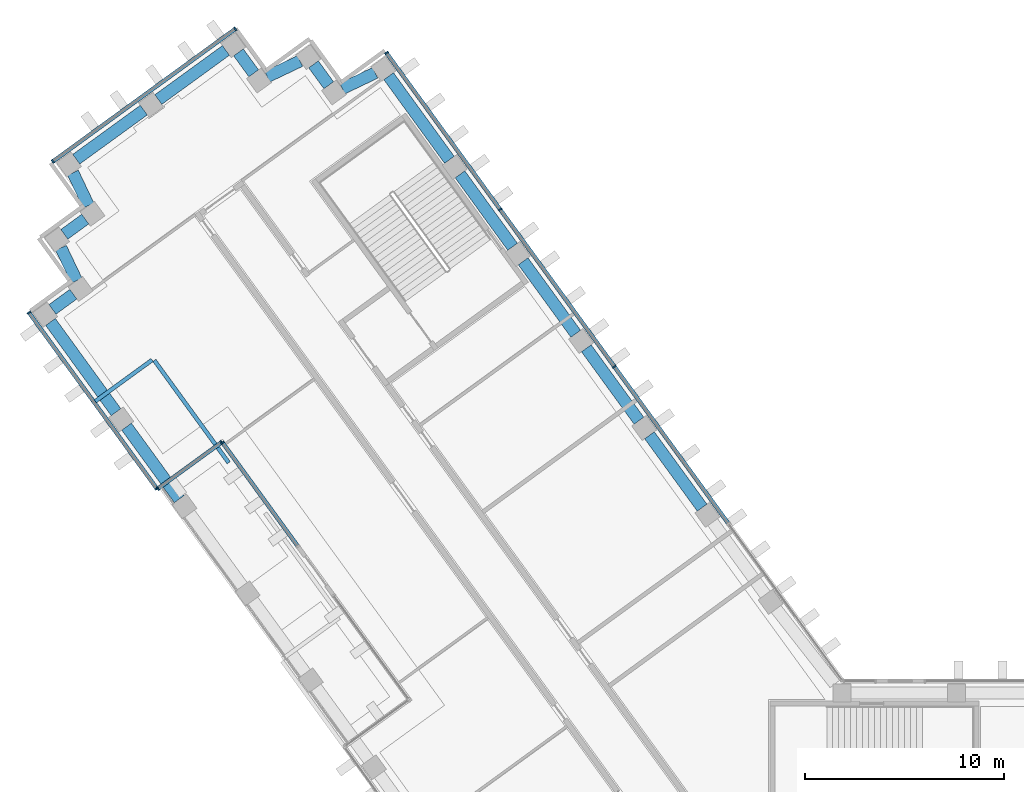
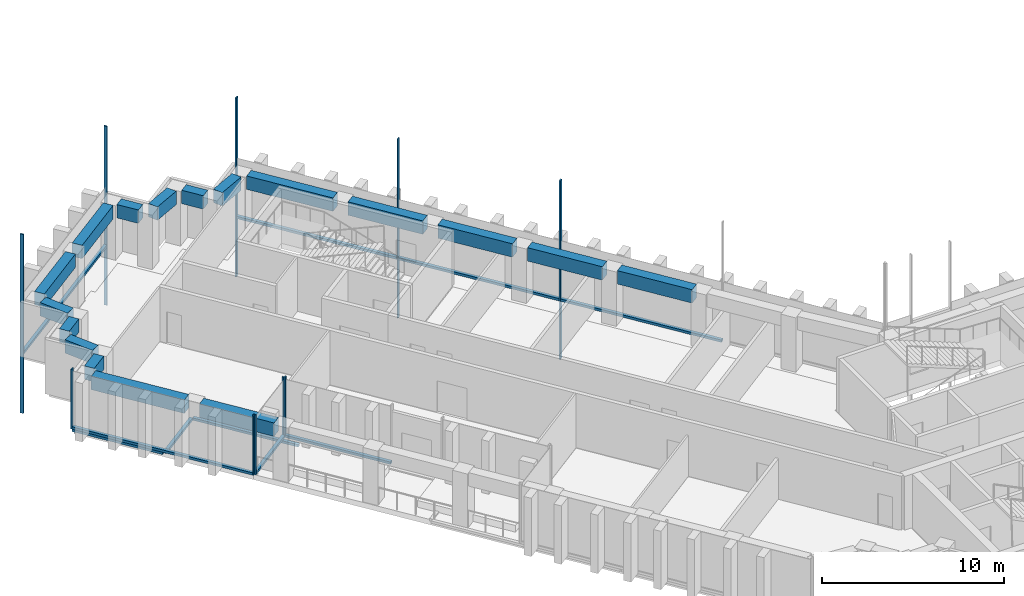
"""IFC4 building model written with IfcOpenShell, lengths in metres."""

import ifcopenshell
import ifcopenshell.guid

model = None  # the IFC model being written
_history = None  # IfcOwnerHistory: only IFC2X3 demands one
_inside = {}  # id of a spatial element -> (the spatial element, [elements in it])
_under = {}  # id of a project, library or spatial element -> (it, [spatial elements below it])
_declared = {}  # id of a project -> (the project, [libraries it declares])
_typed = {}  # id of a type object -> (the type object, [elements of that type])
_made_of = {}  # id of a material, layer set ... -> (it, [elements and type objects made of it])


def new_model(schema):
    """Start an empty IFC model of exactly this schema.

    Asked for "IFC4X3", IfcOpenShell would pick the latest addendum, in which some entities
    have other attributes; the version numbers below select the first issue.
    IFC2X3 requires an IfcOwnerHistory on every rooted entity: one is made here for all.
    """
    global model, _history
    if schema == "IFC4X3":
        model = ifcopenshell.file(schema_version=(4, 3, 0, 0))
    else:
        model = ifcopenshell.file(schema=schema)
    _inside.clear()
    _under.clear()
    _declared.clear()
    _typed.clear()
    _made_of.clear()
    _history = None
    if model.schema == "IFC2X3":
        org = make("IfcOrganization", Name="unknown")
        user = make(
            "IfcPersonAndOrganization",
            ThePerson=make("IfcPerson", FamilyName="unknown"),
            TheOrganization=org,
        )
        app = make(
            "IfcApplication",
            ApplicationDeveloper=org,
            Version="unknown",
            ApplicationFullName="unknown",
            ApplicationIdentifier="unknown",
        )
        _history = make(
            "IfcOwnerHistory",
            OwningUser=user,
            OwningApplication=app,
            ChangeAction="ADDED",
            CreationDate=0,
        )
    return model


def make(cls, **values):
    """One entity of the class cls with the attributes given. An attribute that is None is left unset."""
    return model.create_entity(
        cls, **{name: value for name, value in values.items() if value is not None}
    )


def rooted(cls, **values):
    """An entity with a GlobalId (a new one), such as an element, a storey or a relation."""
    return make(cls, GlobalId=ifcopenshell.guid.new(), OwnerHistory=_history, **values)


def si_unit(unit_type, name, prefix=None):
    """IfcSIUnit, for example si_unit("LENGTHUNIT", "METRE", prefix="MILLI")."""
    return make("IfcSIUnit", UnitType=unit_type, Prefix=prefix, Name=name)


def assignment(units):
    """IfcUnitAssignment: the units of a project."""
    return None if units is None else make("IfcUnitAssignment", Units=units)


def point(xyz):
    """IfcCartesianPoint."""
    return None if xyz is None else make("IfcCartesianPoint", Coordinates=xyz)


def direction(xyz):
    """IfcDirection."""
    return None if xyz is None else make("IfcDirection", DirectionRatios=xyz)


def frame(location, z_axis=None, x_axis=None):
    """IfcAxis2Placement3D, a coordinate frame: its origin and axes. An axis left out is left unset."""
    return make(
        "IfcAxis2Placement3D",
        Location=point(location),
        Axis=direction(z_axis),
        RefDirection=direction(x_axis),
    )


def frame_2d(location, x_axis=None):
    """IfcAxis2Placement2D, a coordinate frame in the plane: its origin and x axis."""
    return make(
        "IfcAxis2Placement2D", Location=point(location), RefDirection=direction(x_axis)
    )


def origin():
    """The frame at (0, 0, 0) with its axes left unset."""
    return frame((0.0, 0.0, 0.0))


def origin_2d():
    """The frame at (0, 0) in the plane with its x axis left unset."""
    return frame_2d((0.0, 0.0))


def place(relative_to, where):
    """IfcLocalPlacement: puts the frame where relative to a parent placement (None: the world)."""
    return make(
        "IfcLocalPlacement", PlacementRelTo=relative_to, RelativePlacement=where
    )


def context(
    kind, dimensions, precision=None, world=None, true_north=None, identifier=None
):
    """IfcGeometricRepresentationContext, for example the 3D "Model" context."""
    return make(
        "IfcGeometricRepresentationContext",
        ContextIdentifier=identifier,
        ContextType=kind,
        CoordinateSpaceDimension=dimensions,
        Precision=precision,
        WorldCoordinateSystem=world,
        TrueNorth=true_north,
    )


def subcontext(parent, identifier, kind, view, scale=None):
    """IfcGeometricRepresentationSubContext, for example "Body" below "Model"."""
    return make(
        "IfcGeometricRepresentationSubContext",
        ContextIdentifier=identifier,
        ContextType=kind,
        ParentContext=parent,
        TargetScale=scale,
        TargetView=view,
    )


def project(units=None, contexts=None):
    """IfcProject with its units and contexts."""
    return rooted(
        "IfcProject",
        Name="project",
        RepresentationContexts=contexts,
        UnitsInContext=assignment(units),
    )


def spatial(cls, under=None, at=None, **own):
    """A site, building, storey or space (cls), placed at a placement, below another one or the project."""
    s = rooted(cls, ObjectPlacement=at, **own)
    if under is not None:
        _under.setdefault(under.id(), (under, []))[1].append(s)
    return s


def profile(cls, at=None, kind="AREA", **sizes):
    """A parametric profile (cls). Its sizes go by their IFC names, for example OverallWidth=200.0."""
    return make(cls, ProfileType=kind, Position=at, **sizes)


def rectangle(**sizes):
    """IfcRectangleProfileDef."""
    return profile("IfcRectangleProfileDef", **sizes)


def extrude(swept, where, along, depth):
    """IfcExtrudedAreaSolid: the profile swept, set in the frame where, extruded along a direction by depth."""
    return make(
        "IfcExtrudedAreaSolid",
        SweptArea=swept,
        Position=where,
        ExtrudedDirection=direction(along),
        Depth=depth,
    )


def shape(context_of_items, identifier, shape_type, items):
    """IfcShapeRepresentation: the items that make up one representation, for example the "Body"."""
    return make(
        "IfcShapeRepresentation",
        ContextOfItems=context_of_items,
        RepresentationIdentifier=identifier,
        RepresentationType=shape_type,
        Items=items,
    )


def material(Name=None, Category=None):
    """IfcMaterial."""
    return make("IfcMaterial", Name=Name, Category=Category)


def material_profile(
    of_material, cross_section, Name=None, Category=None, Priority=None
):
    """IfcMaterialProfile: a cross section and its material."""
    return make(
        "IfcMaterialProfile",
        Name=Name,
        Material=of_material,
        Profile=cross_section,
        Priority=Priority,
        Category=Category,
    )


def profile_set(profiles, Name=None, composite=None):
    """IfcMaterialProfileSet."""
    return make(
        "IfcMaterialProfileSet",
        Name=Name,
        MaterialProfiles=profiles,
        CompositeProfile=composite,
    )


def made_of(thing, what):
    """Note that an element or type object is made of a material, layer set ...; save() writes the relation."""
    if what is not None:
        _made_of.setdefault(what.id(), (what, []))[1].append(thing)
    return thing


def type_object(cls, material=None, **own):
    """A type object (cls), such as IfcWallType, which elements share."""
    return made_of(rooted(cls, **own), material)


def element(
    cls,
    number,
    at=None,
    inside=None,
    cuts=None,
    type_object=None,
    material=None,
    context=None,
    identifier="Body",
    shape_type=None,
    held_by="IfcProductDefinitionShape",
    body=None,
    shapes=None,
    **own,
):
    """One element of the class cls, such as IfcWall. Its Tag is "e" and its number.

    at: its placement. inside: the storey or other place that contains it. cuts: it is an
    opening in that element (IfcRelVoidsElement). A single representation is given by context,
    identifier, shape_type and body (its items); several are given by shapes. held_by: the class
    of the entity that holds the representations. save() writes the other relations.
    """
    e = rooted(cls, Tag="e%d" % number, ObjectPlacement=at, **own)
    if body is not None:
        shapes = [shape(context, identifier, shape_type, body)]
    if shapes is not None:
        e.Representation = make(held_by, Representations=shapes)
    if inside is not None:
        _inside.setdefault(inside.id(), (inside, []))[1].append(e)
    if cuts is not None:
        rooted(
            "IfcRelVoidsElement", RelatingBuildingElement=cuts, RelatedOpeningElement=e
        )
    if type_object is not None:
        _typed.setdefault(type_object.id(), (type_object, []))[1].append(e)
    return made_of(e, material)


def aggregate(whole, parts):
    """IfcRelAggregates: a whole, such as a stair, and the parts it consists of."""
    return rooted("IfcRelAggregates", RelatingObject=whole, RelatedObjects=parts)


def save(model, path):
    """Write the relations noted so far, then the file.

    IfcRelAggregates (storeys below a building ...), IfcRelContainedInSpatialStructure (elements
    in a storey), IfcRelDefinesByType, IfcRelAssociatesMaterial and IfcRelDeclares: one each for
    every whole, place, type object, material and project.
    """
    for whole, parts in _under.values():
        aggregate(whole, parts)
    for where, things in _inside.values():
        rooted(
            "IfcRelContainedInSpatialStructure",
            RelatedElements=things,
            RelatingStructure=where,
        )
    for kind, things in _typed.values():
        rooted("IfcRelDefinesByType", RelatedObjects=things, RelatingType=kind)
    for what, things in _made_of.values():
        rooted("IfcRelAssociatesMaterial", RelatedObjects=things, RelatingMaterial=what)
    for by, libraries in _declared.values():
        rooted("IfcRelDeclares", RelatingContext=by, RelatedDefinitions=libraries)
    model.write(path)


model = new_model("IFC4")

# Units and contexts
model_context = context("Model", 3, precision=1e-05, world=origin(), true_north=direction((0.0, 1.0)))
body_context = subcontext(model_context, "Body", "Model", "MODEL_VIEW")
ifc_project = project(units=[si_unit("LENGTHUNIT", "METRE"), si_unit("AREAUNIT", "SQUARE_METRE"), si_unit("VOLUMEUNIT", "CUBIC_METRE"), si_unit("PLANEANGLEUNIT", "RADIAN"), si_unit("MASSUNIT", "GRAM", prefix="KILO")], contexts=[model_context])

# Site, building, storey
site_placement = place(None, origin())
site = spatial("IfcSite", under=ifc_project, at=site_placement, CompositionType="ELEMENT")
building_placement = place(site_placement, origin())
building = spatial("IfcBuilding", under=site, at=building_placement, Name="Quipu Civic Tower", CompositionType="ELEMENT")
storey_1_placement = place(building_placement, frame((0.0, 0.0, 47.0)))
storey_1 = spatial("IfcBuildingStorey", under=building, at=storey_1_placement, Name="L10", CompositionType="ELEMENT", Elevation=47.0)

# Curtain wall, members
ifc_material_1 = material(Name="Insulated glass unit", Category="glass")
curtain_wall_type = type_object("IfcCurtainWallType", Name="Office curtain wall CW1", PredefinedType="NOTDEFINED", material=ifc_material_1)
curtain_wall_1_placement = place(storey_1_placement, origin())
curtain_wall_1 = element("IfcCurtainWall", 1, at=curtain_wall_1_placement, inside=storey_1, type_object=curtain_wall_type, Name="Office curtain wall CW1 L10 run 1", PredefinedType="NOTDEFINED")
ifc_material_2 = material(Name="Anodised aluminium", Category="aluminium")
ifc_material_profile_1 = material_profile(ifc_material_2, rectangle(XDim=0.199951171875, YDim=0.080078125, at=origin_2d()), Name="RECT 200x80")
ifc_profile_set_1 = profile_set([ifc_material_profile_1], Name="Anodised aluminium")
member_type_1 = type_object("IfcMemberType", Name="Mullion CW1", PredefinedType="MULLION", material=ifc_profile_set_1)
member_1_placement = place(storey_1_placement, frame((-55.23046875, 29.606201171875, 0.080078125), z_axis=(0.0, 0.0, 1.0), x_axis=(0.809014714661, 0.587788390037, 0.0)))
member_1 = element("IfcMember", 2, at=member_1_placement, type_object=member_type_1, Name="CW1 mullion 1", PredefinedType="MULLION", context=body_context, shape_type="SweptSolid", body=[
    extrude(rectangle(XDim=0.199951171875, YDim=0.080078125, at=origin_2d()), origin(), (0.0, 0.0, 1.0), 4.0),
])
member_2_placement = place(storey_1_placement, frame((-48.81201171875, 20.771728515625, 0.080078125), z_axis=(0.0, 0.0, 1.0), x_axis=(0.809014714661, 0.587788390037, 0.0)))
member_2 = element("IfcMember", 3, at=member_2_placement, type_object=member_type_1, Name="CW1 mullion 2", PredefinedType="MULLION", context=body_context, shape_type="SweptSolid", body=[
    extrude(rectangle(XDim=0.199951171875, YDim=0.080078125, at=origin_2d()), origin(), (0.0, 0.0, 1.0), 4.0),
])

curtain_wall_2_placement = place(storey_1_placement, origin())
curtain_wall_2 = element("IfcCurtainWall", 4, at=curtain_wall_2_placement, inside=storey_1, type_object=curtain_wall_type, Name="Office curtain wall CW1 L10 run 2", PredefinedType="NOTDEFINED")
member_3_placement = place(storey_1_placement, frame((-48.756103515625, 20.762939453125, 0.080078125), z_axis=(0.0, 0.0, 1.0), x_axis=(-0.587793796716, 0.809010786419, 0.0)))
member_3 = element("IfcMember", 5, at=member_3_placement, type_object=member_type_1, Name="CW1 mullion 1", PredefinedType="MULLION", context=body_context, shape_type="SweptSolid", body=[
    extrude(rectangle(XDim=0.199951171875, YDim=0.080078125, at=origin_2d()), origin(), (0.0, 0.0, 1.0), 4.0),
])
member_4_placement = place(storey_1_placement, frame((-45.5615234375, 23.083984375, 0.080078125), z_axis=(0.0, 0.0, 1.0), x_axis=(-0.587793796716, 0.809010786419, 0.0)))
member_4 = element("IfcMember", 6, at=member_4_placement, type_object=member_type_1, Name="CW1 mullion 2", PredefinedType="MULLION", context=body_context, shape_type="SweptSolid", body=[
    extrude(rectangle(XDim=0.199951171875, YDim=0.080078125, at=origin_2d()), origin(), (0.0, 0.0, 1.0), 4.0),
])

# Curtain wall, member
curtain_wall_3_placement = place(storey_1_placement, origin())
curtain_wall_3 = element("IfcCurtainWall", 7, at=curtain_wall_3_placement, inside=storey_1, type_object=curtain_wall_type, Name="Office curtain wall CW1 L10 run 3", PredefinedType="NOTDEFINED")
member_5_placement = place(storey_1_placement, frame((-45.505615234375, 23.074951171875, 0.080078125), z_axis=(0.0, 0.0, 1.0), x_axis=(0.809021906018, 0.587778491936, 0.0)))
member_5 = element("IfcMember", 8, at=member_5_placement, type_object=member_type_1, Name="CW1 mullion 1", PredefinedType="MULLION", context=body_context, shape_type="SweptSolid", body=[
    extrude(rectangle(XDim=0.199951171875, YDim=0.080078125, at=origin_2d()), origin(), (0.0, 0.0, 1.0), 4.0),
])

# Curtain wall, members
curtain_wall_4_placement = place(storey_1_placement, origin())
curtain_wall_4 = element("IfcCurtainWall", 9, at=curtain_wall_4_placement, inside=storey_1, type_object=curtain_wall_type, Name="Office curtain wall CW1 L09 run 35", PredefinedType="NOTDEFINED")
member_6_placement = place(storey_1_placement, frame((-25.819091796875, 26.893798828125, -3.919921875), z_axis=(0.0, 0.0, 1.0), x_axis=(-0.809016532822, -0.587785887566, 0.0)))
member_6 = element("IfcMember", 10, at=member_6_placement, type_object=member_type_1, Name="CW1 mullion 3", PredefinedType="MULLION", context=body_context, shape_type="SweptSolid", body=[
    extrude(rectangle(XDim=0.199951171875, YDim=0.080078125, at=origin_2d()), origin(), (0.0, 0.0, 1.0), 12.0),
])
member_7_placement = place(storey_1_placement, frame((-31.556396484375, 34.79052734375, -3.919921875), z_axis=(0.0, 0.0, 1.0), x_axis=(-0.809016532822, -0.587785887566, 0.0)))
member_7 = element("IfcMember", 11, at=member_7_placement, type_object=member_type_1, Name="CW1 mullion 4", PredefinedType="MULLION", context=body_context, shape_type="SweptSolid", body=[
    extrude(rectangle(XDim=0.199951171875, YDim=0.080078125, at=origin_2d()), origin(), (0.0, 0.0, 1.0), 12.0),
])
member_8_placement = place(storey_1_placement, frame((-37.2705078125, 42.655029296875, -3.919921875), z_axis=(0.0, 0.0, 1.0), x_axis=(-0.809016532822, -0.587785887566, 0.0)))
member_8 = element("IfcMember", 12, at=member_8_placement, type_object=member_type_1, Name="CW1 mullion 5", PredefinedType="MULLION", context=body_context, shape_type="SweptSolid", body=[
    extrude(rectangle(XDim=0.199951171875, YDim=0.080078125, at=origin_2d()), origin(), (0.0, 0.0, 1.0), 12.0),
])

curtain_wall_5_placement = place(storey_1_placement, origin())
curtain_wall_5 = element("IfcCurtainWall", 13, at=curtain_wall_5_placement, inside=storey_1, type_object=curtain_wall_type, Name="Office curtain wall CW1 L09 run 40", PredefinedType="NOTDEFINED")
member_9_placement = place(storey_1_placement, frame((-44.869140625, 43.858642578125, -3.919921875), z_axis=(0.0, 0.0, 1.0), x_axis=(0.587782012621, -0.809019348124, 0.0)))
member_9 = element("IfcMember", 14, at=member_9_placement, type_object=member_type_1, Name="CW1 mullion 1", PredefinedType="MULLION", context=body_context, shape_type="SweptSolid", body=[
    extrude(rectangle(XDim=0.199951171875, YDim=0.080078125, at=origin_2d()), origin(), (0.0, 0.0, 1.0), 12.0),
])
member_10_placement = place(storey_1_placement, frame((-54.027099609375, 37.204833984375, -3.919921875), z_axis=(0.0, 0.0, 1.0), x_axis=(0.587782012621, -0.809019348124, 0.0)))
member_10 = element("IfcMember", 15, at=member_10_placement, type_object=member_type_1, Name="CW1 mullion 2", PredefinedType="MULLION", context=body_context, shape_type="SweptSolid", body=[
    extrude(rectangle(XDim=0.199951171875, YDim=0.080078125, at=origin_2d()), origin(), (0.0, 0.0, 1.0), 12.0),
])

# Beams
ifc_material_3 = material(Name="Concrete C50/60", Category="concrete")
ifc_material_profile_2 = material_profile(ifc_material_3, rectangle(XDim=0.60009765625, YDim=0.89990234375, at=origin_2d()), Name="RC600x900")
ifc_profile_set_2 = profile_set([ifc_material_profile_2], Name="Concrete C50/60")
beam_type = type_object("IfcBeamType", Name="Spandrel beam RC 600x900 C50/60", PredefinedType="SPANDREL", material=ifc_profile_set_2)
for number, where, z_axis, x_axis, name in (
    (16, (-21.411865234375, 19.807861328125, 3.199951171875), (-0.587778073121, 0.809022210299, 0.0), (-0.809022210299, -0.587778073121, 0.0), "Spandrel beam L10 W-IN-02 to W-IN-03"),
    (17, (-24.585693359375, 24.1767578125, 3.199951171875), (-0.587778073121, 0.809022210299, 0.0), (-0.809022210299, -0.587778073121, 0.0), "Spandrel beam L10 W-IN-03 to W-IN-04"),
    (18, (-27.759765625, 28.545654296875, 3.199951171875), (-0.587742561851, 0.809048009076, 0.0), (-0.809048009076, -0.587742561851, 0.0), "Spandrel beam L10 W-IN-04 to W-IN-05"),
    (19, (-30.93359375, 32.914306640625, 3.199951171875), (-0.587716763865, 0.809066749701, 0.0), (-0.809066749701, -0.587716763865, 0.0), "Spandrel beam L10 W-IN-05 to W-IN-06"),
):
    element("IfcBeam", number, at=place(storey_1_placement, frame(where, z_axis=z_axis, x_axis=x_axis)), inside=storey_1, type_object=beam_type, Name=name, PredefinedType="SPANDREL", context=body_context, shape_type="SweptSolid", body=[
        extrude(rectangle(XDim=0.60009765625, YDim=0.89990234375, at=origin_2d()), origin(), (0.0, 0.0, 1.0), 4.5),
    ])
beam_1_placement = place(storey_1_placement, frame((-34.107421875, 37.283203125, 3.199951171875), z_axis=(-0.587732861365, 0.80905505602, 0.0), x_axis=(-0.80905505602, -0.587732861365, 0.0)))
element("IfcBeam", 20, at=beam_1_placement, inside=storey_1, type_object=beam_type, Name="Spandrel beam L10 W-IN-06 to T-Wi.0-W50", PredefinedType="SPANDREL", context=body_context, shape_type="SweptSolid", body=[
    extrude(rectangle(XDim=0.60009765625, YDim=0.89990234375, at=origin_2d()), origin(), (0.0, 0.0, 1.0), 5.194580078125),
])
beam_2_placement = place(storey_1_placement, frame((-37.837890625, 41.65283203125, 3.199951171875), z_axis=(-0.90245397739, -0.430786279601, 0.0), x_axis=(0.430786279601, -0.90245397739, 0.0)))
element("IfcBeam", 21, at=beam_2_placement, inside=storey_1, type_object=beam_type, Name="Spandrel beam L10 T-Wi.0-W50 to T-Wi.1-W50", PredefinedType="SPANDREL", context=body_context, shape_type="SweptSolid", body=[
    extrude(rectangle(XDim=0.60009765625, YDim=0.89990234375, at=origin_2d()), origin(), (0.0, 0.0, 1.0), 1.83349609375),
])
beam_3_placement = place(storey_1_placement, frame((-40.170166015625, 41.02978515625, 3.199951171875), z_axis=(-0.588461937499, 0.808524921146, 0.0), x_axis=(-0.808524921146, -0.588461937499, 0.0)))
element("IfcBeam", 22, at=beam_3_placement, inside=storey_1, type_object=beam_type, Name="Spandrel beam L10 T-Wi.1-W50 to T-Wi.2-W50", PredefinedType="SPANDREL", context=body_context, shape_type="SweptSolid", body=[
    extrude(rectangle(XDim=0.60009765625, YDim=0.89990234375, at=origin_2d()), origin(), (0.0, 0.0, 1.0), 1.30029296875),
])
beam_4_placement = place(storey_1_placement, frame((-41.613037109375, 42.248046875, 3.199951171875), z_axis=(-0.902613270121, -0.430452418511, 0.0), x_axis=(0.430452418511, -0.902613270121, 0.0)))
element("IfcBeam", 23, at=beam_4_placement, inside=storey_1, type_object=beam_type, Name="Spandrel beam L10 T-Wi.2-W50 to T-Wi.3-W50", PredefinedType="SPANDREL", context=body_context, shape_type="SweptSolid", body=[
    extrude(rectangle(XDim=0.60009765625, YDim=0.89990234375, at=origin_2d()), origin(), (0.0, 0.0, 1.0), 1.826416015625),
])
beam_5_placement = place(storey_1_placement, frame((-43.939453125, 41.628662109375, 3.199951171875), z_axis=(-0.588383572423, 0.808581951136, 0.0), x_axis=(-0.808581951136, -0.588383572423, 0.0)))
element("IfcBeam", 24, at=beam_5_placement, inside=storey_1, type_object=beam_type, Name="Spandrel beam L10 T-Wi.3-W50 to T-Wi.4-W50", PredefinedType="SPANDREL", context=body_context, shape_type="SweptSolid", body=[
    extrude(rectangle(XDim=0.60009765625, YDim=0.89990234375, at=origin_2d()), origin(), (0.0, 0.0, 1.0), 1.3017578125),
])
beam_6_placement = place(storey_1_placement, frame((-45.333984375, 42.780517578125, 3.199951171875), z_axis=(-0.808969789945, -0.58785021813, 0.0), x_axis=(0.58785021813, -0.808969789945, 0.0)))
element("IfcBeam", 25, at=beam_6_placement, inside=storey_1, type_object=beam_type, Name="Spandrel beam L10 T-Wi.4-W50 to TIP-W-01-W50", PredefinedType="SPANDREL", context=body_context, shape_type="SweptSolid", body=[
    extrude(rectangle(XDim=0.60009765625, YDim=0.89990234375, at=origin_2d()), origin(), (0.0, 0.0, 1.0), 4.199951171875),
])
beam_7_placement = place(storey_1_placement, frame((-49.459716796875, 39.782470703125, 3.199951171875), z_axis=(-0.808959834407, -0.587863918196, 0.0), x_axis=(0.587863918196, -0.808959834407, 0.0)))
element("IfcBeam", 26, at=beam_7_placement, inside=storey_1, type_object=beam_type, Name="Spandrel beam L10 TIP-W-01-W50 to T-Wo.0-W50", PredefinedType="SPANDREL", context=body_context, shape_type="SweptSolid", body=[
    extrude(rectangle(XDim=0.60009765625, YDim=0.89990234375, at=origin_2d()), origin(), (0.0, 0.0, 1.0), 4.1982421875),
])
beam_8_placement = place(storey_1_placement, frame((-53.023193359375, 36.63671875, 3.199951171875), z_axis=(0.430166558323, -0.902749540072, 0.0), x_axis=(0.902749540072, 0.430166558323, 0.0)))
element("IfcBeam", 27, at=beam_8_placement, inside=storey_1, type_object=beam_type, Name="Spandrel beam L10 T-Wo.0-W50 to T-Wo.1-W50", PredefinedType="SPANDREL", context=body_context, shape_type="SweptSolid", body=[
    extrude(rectangle(XDim=0.60009765625, YDim=0.89990234375, at=origin_2d()), origin(), (0.0, 0.0, 1.0), 1.830322265625),
])
beam_9_placement = place(storey_1_placement, frame((-52.40283203125, 34.306396484375, 3.199951171875), z_axis=(-0.808509099783, -0.588483674853, 0.0), x_axis=(0.588483674853, -0.808509099783, 0.0)))
element("IfcBeam", 28, at=beam_9_placement, inside=storey_1, type_object=beam_type, Name="Spandrel beam L10 T-Wo.1-W50 to T-Wo.2-W50", PredefinedType="SPANDREL", context=body_context, shape_type="SweptSolid", body=[
    extrude(rectangle(XDim=0.60009765625, YDim=0.89990234375, at=origin_2d()), origin(), (0.0, 0.0, 1.0), 1.302734375),
])
beam_10_placement = place(storey_1_placement, frame((-53.62255859375, 32.8623046875, 3.199951171875), z_axis=(0.431446050156, -0.902138739776, 0.0), x_axis=(0.902138739776, 0.431446050156, 0.0)))
element("IfcBeam", 29, at=beam_10_placement, inside=storey_1, type_object=beam_type, Name="Spandrel beam L10 T-Wo.2-W50 to T-Wo.3-W50", PredefinedType="SPANDREL", context=body_context, shape_type="SweptSolid", body=[
    extrude(rectangle(XDim=0.60009765625, YDim=0.89990234375, at=origin_2d()), origin(), (0.0, 0.0, 1.0), 1.828857421875),
])
beam_11_placement = place(storey_1_placement, frame((-53.0, 30.53466796875, 3.199951171875), z_axis=(-0.808549242423, -0.588428519514, 0.0), x_axis=(0.588428519514, -0.808549242423, 0.0)))
element("IfcBeam", 30, at=beam_11_placement, inside=storey_1, type_object=beam_type, Name="Spandrel beam L10 T-Wo.3-W50 to T-Wo.4-W50", PredefinedType="SPANDREL", context=body_context, shape_type="SweptSolid", body=[
    extrude(rectangle(XDim=0.60009765625, YDim=0.89990234375, at=origin_2d()), origin(), (0.0, 0.0, 1.0), 1.2998046875),
])
beam_12_placement = place(storey_1_placement, frame((-54.150390625, 29.140869140625, 3.199951171875), z_axis=(0.587772657145, -0.809026145135, 0.0), x_axis=(0.809026145135, 0.587772657145, 0.0)))
element("IfcBeam", 31, at=beam_12_placement, inside=storey_1, type_object=beam_type, Name="Spandrel beam L10 T-Wo.4-W50 to W-OUT-07", PredefinedType="SPANDREL", context=body_context, shape_type="SweptSolid", body=[
    extrude(rectangle(XDim=0.60009765625, YDim=0.89990234375, at=origin_2d()), origin(), (0.0, 0.0, 1.0), 5.603271484375),
])
beam_13_placement = place(storey_1_placement, frame((-50.327880859375, 23.87939453125, 3.199951171875), z_axis=(0.587778073121, -0.809022210299, 0.0), x_axis=(0.809022210299, 0.587778073121, 0.0)))
element("IfcBeam", 32, at=beam_13_placement, inside=storey_1, type_object=beam_type, Name="Spandrel beam L10 W-OUT-07 to W-OUT-06", PredefinedType="SPANDREL", context=body_context, shape_type="SweptSolid", body=[
    extrude(rectangle(XDim=0.60009765625, YDim=0.89990234375, at=origin_2d()), origin(), (0.0, 0.0, 1.0), 4.5),
])

# Storey
storey_2_placement = place(building_placement, frame((0.0, 0.0, 43.0)))
storey_2 = spatial("IfcBuildingStorey", under=building, at=storey_2_placement, Name="L09", CompositionType="ELEMENT", Elevation=43.0)

# Curtain wall, member
curtain_wall_6_placement = place(storey_2_placement, origin())
curtain_wall_6 = element("IfcCurtainWall", 33, at=curtain_wall_6_placement, inside=storey_2, type_object=curtain_wall_type, Name="Office curtain wall CW1 L09 run 1", PredefinedType="NOTDEFINED")
ifc_material_4 = material(Name="Anodised aluminium", Category="aluminium")
ifc_material_profile_3 = material_profile(ifc_material_4, rectangle(XDim=0.199951171875, YDim=0.159912109375, at=origin_2d()), Name="RECT 200x160")
ifc_profile_set_3 = profile_set([ifc_material_profile_3], Name="Anodised aluminium")
member_type_2 = type_object("IfcMemberType", Name="Transom CW1", PredefinedType="USERDEFINED", material=ifc_profile_set_3)
member_11_placement = place(storey_1_placement, frame((-55.20703125, 29.573974609375, 0.0), z_axis=(0.587774027131, -0.809025149813, 0.0), x_axis=(0.809025149813, 0.587774027131, 0.0)))
member_11 = element("IfcMember", 34, at=member_11_placement, inside=storey_1, type_object=member_type_2, Name="CW1 transom 1.2", ObjectType="TRANSOM", PredefinedType="USERDEFINED", context=body_context, shape_type="SweptSolid", body=[
    extrude(rectangle(XDim=0.199951171875, YDim=0.159912109375, at=origin_2d()), origin(), (0.0, 0.0, 1.0), 5.43994140625),
])
aggregate(curtain_wall_6, [member_11])

curtain_wall_7_placement = place(storey_2_placement, origin())
curtain_wall_7 = element("IfcCurtainWall", 35, at=curtain_wall_7_placement, inside=storey_2, type_object=curtain_wall_type, Name="Office curtain wall CW1 L09 run 2", PredefinedType="NOTDEFINED")
member_12_placement = place(storey_1_placement, frame((-51.897705078125, 25.155029296875, 0.0), z_axis=(0.80899053112, 0.587821674114, 0.0), x_axis=(-0.587821674114, 0.80899053112, 0.0)))
member_12 = element("IfcMember", 36, at=member_12_placement, inside=storey_1, type_object=member_type_2, Name="CW1 transom 1.2", ObjectType="TRANSOM", PredefinedType="USERDEFINED", context=body_context, shape_type="SweptSolid", body=[
    extrude(rectangle(XDim=0.199951171875, YDim=0.159912109375, at=origin_2d()), origin(), (0.0, 0.0, 1.0), 3.525634765625),
])
aggregate(curtain_wall_7, [member_12])

curtain_wall_8_placement = place(storey_2_placement, origin())
curtain_wall_8 = element("IfcCurtainWall", 37, at=curtain_wall_8_placement, inside=storey_2, type_object=curtain_wall_type, Name="Office curtain wall CW1 L09 run 3", PredefinedType="NOTDEFINED")
member_13_placement = place(storey_1_placement, frame((-48.93359375, 27.209716796875, 0.0), z_axis=(0.587778942742, -0.809021578494, 0.0), x_axis=(0.809021578494, 0.587778942742, 0.0)))
member_13 = element("IfcMember", 38, at=member_13_placement, inside=storey_1, type_object=member_type_2, Name="CW1 transom 1.2", ObjectType="TRANSOM", PredefinedType="USERDEFINED", context=body_context, shape_type="SweptSolid", body=[
    extrude(rectangle(XDim=0.199951171875, YDim=0.159912109375, at=origin_2d()), origin(), (0.0, 0.0, 1.0), 6.3583984375),
])
aggregate(curtain_wall_8, [member_13])

# Member
member_14_placement = place(storey_1_placement, frame((-55.20703125, 29.573974609375, 0.159912109375), z_axis=(0.587783274816, -0.809018431092, 0.0), x_axis=(0.809018431092, 0.587783274816, 0.0)))
member_14 = element("IfcMember", 39, at=member_14_placement, type_object=member_type_2, Name="CW1 transom 1.1", ObjectType="TRANSOM", PredefinedType="USERDEFINED", context=body_context, shape_type="SweptSolid", body=[
    extrude(rectangle(XDim=0.199951171875, YDim=0.159912109375, at=origin_2d()), origin(), (0.0, 0.0, 1.0), 10.840087890625),
])

aggregate(curtain_wall_1, [member_1, member_2, member_14])

member_15_placement = place(storey_1_placement, frame((-48.7236328125, 20.786376953125, 0.159912109375), z_axis=(0.809003449437, 0.587803894848, 0.0), x_axis=(-0.587803894848, 0.809003449437, 0.0)))
member_15 = element("IfcMember", 40, at=member_15_placement, type_object=member_type_2, Name="CW1 transom 1.1", ObjectType="TRANSOM", PredefinedType="USERDEFINED", context=body_context, shape_type="SweptSolid", body=[
    extrude(rectangle(XDim=0.199951171875, YDim=0.159912109375, at=origin_2d()), origin(), (0.0, 0.0, 1.0), 3.868408203125),
])

aggregate(curtain_wall_2, [member_3, member_4, member_15])

member_16_placement = place(storey_1_placement, frame((-45.482177734375, 23.042724609375, 0.159912109375), z_axis=(0.587785815007, -0.809016585539, 0.0), x_axis=(0.809016585539, 0.587785815007, 0.0)))
member_16 = element("IfcMember", 41, at=member_16_placement, type_object=member_type_2, Name="CW1 transom 1.1", ObjectType="TRANSOM", PredefinedType="USERDEFINED", context=body_context, shape_type="SweptSolid", body=[
    extrude(rectangle(XDim=0.199951171875, YDim=0.159912109375, at=origin_2d()), origin(), (0.0, 0.0, 1.0), 6.358642578125),
])

aggregate(curtain_wall_3, [member_5, member_16])

member_17_placement = place(storey_1_placement, frame((-20.105224609375, 19.029296875, 0.080078125), z_axis=(-0.587793764301, 0.80901080997, 0.0), x_axis=(-0.80901080997, -0.587793764301, 0.0)))
member_17 = element("IfcMember", 42, at=member_17_placement, type_object=member_type_2, Name="CW1 transom 2.2", ObjectType="TRANSOM", PredefinedType="USERDEFINED", context=body_context, shape_type="SweptSolid", body=[
    extrude(rectangle(XDim=0.199951171875, YDim=0.159912109375, at=origin_2d()), origin(), (0.0, 0.0, 1.0), 9.680908203125),
])

member_18_placement = place(storey_1_placement, frame((-25.842529296875, 26.926025390625, 0.080078125), z_axis=(-0.58778177227, 0.809019522748, 0.0), x_axis=(-0.809019522748, -0.58778177227, 0.0)))
member_18 = element("IfcMember", 43, at=member_18_placement, type_object=member_type_2, Name="CW1 transom 3.2", ObjectType="TRANSOM", PredefinedType="USERDEFINED", context=body_context, shape_type="SweptSolid", body=[
    extrude(rectangle(XDim=0.199951171875, YDim=0.159912109375, at=origin_2d()), origin(), (0.0, 0.0, 1.0), 9.68115234375),
])

member_19_placement = place(storey_1_placement, frame((-31.580078125, 34.822998046875, 0.080078125), z_axis=(-0.587775627857, 0.809023986849, 0.0), x_axis=(-0.809023986849, -0.587775627857, 0.0)))
member_19 = element("IfcMember", 44, at=member_19_placement, type_object=member_type_2, Name="CW1 transom 4.2", ObjectType="TRANSOM", PredefinedType="USERDEFINED", context=body_context, shape_type="SweptSolid", body=[
    extrude(rectangle(XDim=0.199951171875, YDim=0.159912109375, at=origin_2d()), origin(), (0.0, 0.0, 1.0), 9.64111328125),
])

aggregate(curtain_wall_4, [member_6, member_7, member_8, member_17, member_18, member_19])

member_20_placement = place(storey_1_placement, frame((-44.9013671875, 43.8349609375, 0.080078125), z_axis=(-0.809032792449, -0.587763507495, 0.0), x_axis=(0.587763507495, -0.809032792449, 0.0)))
member_20 = element("IfcMember", 45, at=member_20_placement, type_object=member_type_2, Name="CW1 transom 1.2", ObjectType="TRANSOM", PredefinedType="USERDEFINED", context=body_context, shape_type="SweptSolid", body=[
    extrude(rectangle(XDim=0.199951171875, YDim=0.159912109375, at=origin_2d()), origin(), (0.0, 0.0, 1.0), 11.239990234375),
])

aggregate(curtain_wall_5, [member_9, member_10, member_20])

save(model, "model.ifc")
